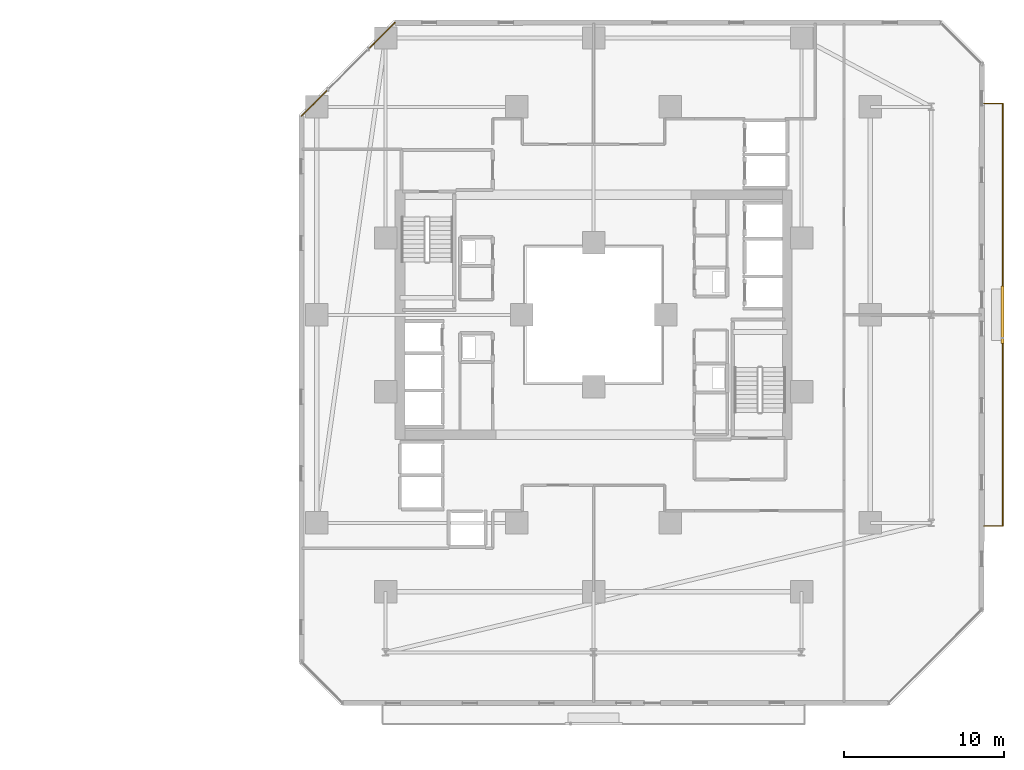
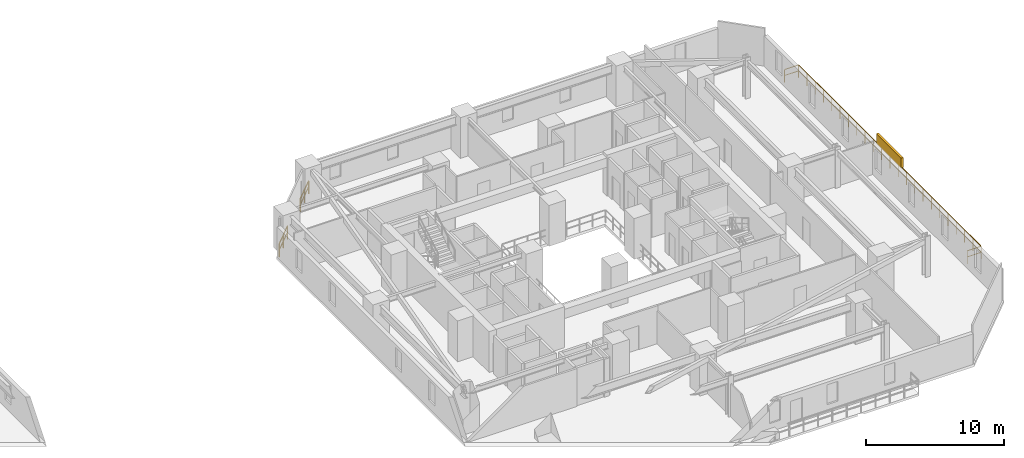
# One storey, part 33 of 33: 3 railings, 1 shading device.
"""IFC4 building model written with IfcOpenShell, lengths in metres."""

import ifcopenshell
import ifcopenshell.guid

model = None  # the IFC model being written
_history = None  # IfcOwnerHistory: only IFC2X3 demands one
_inside = {}  # id of a spatial element -> (the spatial element, [elements in it])
_under = {}  # id of a project, library or spatial element -> (it, [spatial elements below it])
_declared = {}  # id of a project -> (the project, [libraries it declares])
_typed = {}  # id of a type object -> (the type object, [elements of that type])
_made_of = {}  # id of a material, layer set ... -> (it, [elements and type objects made of it])


def new_model(schema):
    """Start an empty IFC model of exactly this schema.

    Asked for "IFC4X3", IfcOpenShell would pick the latest addendum, in which some entities
    have other attributes; the version numbers below select the first issue.
    IFC2X3 requires an IfcOwnerHistory on every rooted entity: one is made here for all.
    """
    global model, _history
    if schema == "IFC4X3":
        model = ifcopenshell.file(schema_version=(4, 3, 0, 0))
    else:
        model = ifcopenshell.file(schema=schema)
    _inside.clear()
    _under.clear()
    _declared.clear()
    _typed.clear()
    _made_of.clear()
    _history = None
    if model.schema == "IFC2X3":
        org = make("IfcOrganization", Name="unknown")
        user = make(
            "IfcPersonAndOrganization",
            ThePerson=make("IfcPerson", FamilyName="unknown"),
            TheOrganization=org,
        )
        app = make(
            "IfcApplication",
            ApplicationDeveloper=org,
            Version="unknown",
            ApplicationFullName="unknown",
            ApplicationIdentifier="unknown",
        )
        _history = make(
            "IfcOwnerHistory",
            OwningUser=user,
            OwningApplication=app,
            ChangeAction="ADDED",
            CreationDate=0,
        )
    return model


def make(cls, **values):
    """One entity of the class cls with the attributes given. An attribute that is None is left unset."""
    return model.create_entity(
        cls, **{name: value for name, value in values.items() if value is not None}
    )


def rooted(cls, **values):
    """An entity with a GlobalId (a new one), such as an element, a storey or a relation."""
    return make(cls, GlobalId=ifcopenshell.guid.new(), OwnerHistory=_history, **values)


def si_unit(unit_type, name, prefix=None):
    """IfcSIUnit, for example si_unit("LENGTHUNIT", "METRE", prefix="MILLI")."""
    return make("IfcSIUnit", UnitType=unit_type, Prefix=prefix, Name=name)


def assignment(units):
    """IfcUnitAssignment: the units of a project."""
    return None if units is None else make("IfcUnitAssignment", Units=units)


def point(xyz):
    """IfcCartesianPoint."""
    return None if xyz is None else make("IfcCartesianPoint", Coordinates=xyz)


def direction(xyz):
    """IfcDirection."""
    return None if xyz is None else make("IfcDirection", DirectionRatios=xyz)


def frame(location, z_axis=None, x_axis=None):
    """IfcAxis2Placement3D, a coordinate frame: its origin and axes. An axis left out is left unset."""
    return make(
        "IfcAxis2Placement3D",
        Location=point(location),
        Axis=direction(z_axis),
        RefDirection=direction(x_axis),
    )


def frame_2d(location, x_axis=None):
    """IfcAxis2Placement2D, a coordinate frame in the plane: its origin and x axis."""
    return make(
        "IfcAxis2Placement2D", Location=point(location), RefDirection=direction(x_axis)
    )


def origin():
    """The frame at (0, 0, 0) with its axes left unset."""
    return frame((0.0, 0.0, 0.0))


def origin_2d():
    """The frame at (0, 0) in the plane with its x axis left unset."""
    return frame_2d((0.0, 0.0))


def place(relative_to, where):
    """IfcLocalPlacement: puts the frame where relative to a parent placement (None: the world)."""
    return make(
        "IfcLocalPlacement", PlacementRelTo=relative_to, RelativePlacement=where
    )


def context(
    kind, dimensions, precision=None, world=None, true_north=None, identifier=None
):
    """IfcGeometricRepresentationContext, for example the 3D "Model" context."""
    return make(
        "IfcGeometricRepresentationContext",
        ContextIdentifier=identifier,
        ContextType=kind,
        CoordinateSpaceDimension=dimensions,
        Precision=precision,
        WorldCoordinateSystem=world,
        TrueNorth=true_north,
    )


def subcontext(parent, identifier, kind, view, scale=None):
    """IfcGeometricRepresentationSubContext, for example "Body" below "Model"."""
    return make(
        "IfcGeometricRepresentationSubContext",
        ContextIdentifier=identifier,
        ContextType=kind,
        ParentContext=parent,
        TargetScale=scale,
        TargetView=view,
    )


def project(units=None, contexts=None):
    """IfcProject with its units and contexts."""
    return rooted(
        "IfcProject",
        Name="project",
        RepresentationContexts=contexts,
        UnitsInContext=assignment(units),
    )


def spatial(cls, under=None, at=None, **own):
    """A site, building, storey or space (cls), placed at a placement, below another one or the project."""
    s = rooted(cls, ObjectPlacement=at, **own)
    if under is not None:
        _under.setdefault(under.id(), (under, []))[1].append(s)
    return s


def profile(cls, at=None, kind="AREA", **sizes):
    """A parametric profile (cls). Its sizes go by their IFC names, for example OverallWidth=200.0."""
    return make(cls, ProfileType=kind, Position=at, **sizes)


def rectangle(**sizes):
    """IfcRectangleProfileDef."""
    return profile("IfcRectangleProfileDef", **sizes)


def extrude(swept, where, along, depth):
    """IfcExtrudedAreaSolid: the profile swept, set in the frame where, extruded along a direction by depth."""
    return make(
        "IfcExtrudedAreaSolid",
        SweptArea=swept,
        Position=where,
        ExtrudedDirection=direction(along),
        Depth=depth,
    )


def shape(context_of_items, identifier, shape_type, items):
    """IfcShapeRepresentation: the items that make up one representation, for example the "Body"."""
    return make(
        "IfcShapeRepresentation",
        ContextOfItems=context_of_items,
        RepresentationIdentifier=identifier,
        RepresentationType=shape_type,
        Items=items,
    )


def material(Name=None, Category=None):
    """IfcMaterial."""
    return make("IfcMaterial", Name=Name, Category=Category)


def made_of(thing, what):
    """Note that an element or type object is made of a material, layer set ...; save() writes the relation."""
    if what is not None:
        _made_of.setdefault(what.id(), (what, []))[1].append(thing)
    return thing


def type_object(cls, material=None, **own):
    """A type object (cls), such as IfcWallType, which elements share."""
    return made_of(rooted(cls, **own), material)


def element(
    cls,
    number,
    at=None,
    inside=None,
    cuts=None,
    type_object=None,
    material=None,
    context=None,
    identifier="Body",
    shape_type=None,
    held_by="IfcProductDefinitionShape",
    body=None,
    shapes=None,
    **own,
):
    """One element of the class cls, such as IfcWall. Its Tag is "e" and its number.

    at: its placement. inside: the storey or other place that contains it. cuts: it is an
    opening in that element (IfcRelVoidsElement). A single representation is given by context,
    identifier, shape_type and body (its items); several are given by shapes. held_by: the class
    of the entity that holds the representations. save() writes the other relations.
    """
    e = rooted(cls, Tag="e%d" % number, ObjectPlacement=at, **own)
    if body is not None:
        shapes = [shape(context, identifier, shape_type, body)]
    if shapes is not None:
        e.Representation = make(held_by, Representations=shapes)
    if inside is not None:
        _inside.setdefault(inside.id(), (inside, []))[1].append(e)
    if cuts is not None:
        rooted(
            "IfcRelVoidsElement", RelatingBuildingElement=cuts, RelatedOpeningElement=e
        )
    if type_object is not None:
        _typed.setdefault(type_object.id(), (type_object, []))[1].append(e)
    return made_of(e, material)


def aggregate(whole, parts):
    """IfcRelAggregates: a whole, such as a stair, and the parts it consists of."""
    return rooted("IfcRelAggregates", RelatingObject=whole, RelatedObjects=parts)


def save(model, path):
    """Write the relations noted so far, then the file.

    IfcRelAggregates (storeys below a building ...), IfcRelContainedInSpatialStructure (elements
    in a storey), IfcRelDefinesByType, IfcRelAssociatesMaterial and IfcRelDeclares: one each for
    every whole, place, type object, material and project.
    """
    for whole, parts in _under.values():
        aggregate(whole, parts)
    for where, things in _inside.values():
        rooted(
            "IfcRelContainedInSpatialStructure",
            RelatedElements=things,
            RelatingStructure=where,
        )
    for kind, things in _typed.values():
        rooted("IfcRelDefinesByType", RelatedObjects=things, RelatingType=kind)
    for what, things in _made_of.values():
        rooted("IfcRelAssociatesMaterial", RelatedObjects=things, RelatingMaterial=what)
    for by, libraries in _declared.values():
        rooted("IfcRelDeclares", RelatingContext=by, RelatedDefinitions=libraries)
    model.write(path)


model = new_model("IFC4")

# Units and contexts
model_context = context("Model", 3, precision=1e-05, world=origin(), true_north=direction((0.0, 1.0)))
body_context = subcontext(model_context, "Body", "Model", "MODEL_VIEW")
ifc_project = project(units=[si_unit("LENGTHUNIT", "METRE"), si_unit("AREAUNIT", "SQUARE_METRE"), si_unit("VOLUMEUNIT", "CUBIC_METRE"), si_unit("PLANEANGLEUNIT", "RADIAN"), si_unit("MASSUNIT", "GRAM", prefix="KILO")], contexts=[model_context])

# Site, building, storey
site_placement = place(None, origin())
site = spatial("IfcSite", under=ifc_project, at=site_placement, CompositionType="ELEMENT")
building_placement = place(site_placement, origin())
building = spatial("IfcBuilding", under=site, at=building_placement, Name="Thornwick Lancets Civic Towers", CompositionType="ELEMENT")
storey_placement = place(building_placement, frame((0.0, 0.0, 31.5)))
storey = spatial("IfcBuildingStorey", under=building, at=storey_placement, Name="L07", CompositionType="ELEMENT", Elevation=31.5)

# Railings
ifc_material_1 = material(Name="Terracotta-capped laminated glass balustrade S355", Category="masonry")
railing_type = type_object("IfcRailingType", Name="RAIL_TERR_GUARD", PredefinedType="GUARDRAIL", material=ifc_material_1)
for number, where, name in (
    (1, (76.07861328125, 45.25439453125, 0.0), "L07 Tower B Chamfer Spandrel Guard E5-1"),
    (2, (71.89599609375, 41.07177734375, 0.0), "L07 Tower B Chamfer Spandrel Guard E5-2"),
):
    element("IfcRailing", number, at=place(storey_placement, frame(where)), inside=storey, type_object=railing_type, Name=name, PredefinedType="GUARDRAIL", context=body_context, shape_type="SweptSolid", body=[
        extrude(rectangle(XDim=0.048095703125, YDim=0.048095703125, at=origin_2d()), frame((0.0, 0.0, 1.1259765625), z_axis=(-0.707106781187, -0.707106781187, 0.0), x_axis=(0.707106781187, -0.707106781187, 0.0)), (0.0, 0.0, 1.0), 2.333984375),
        extrude(rectangle(XDim=0.0419921875, YDim=0.0419921875, at=origin_2d()), frame((-0.026611328125, -0.026611328125, 0.597900390625), z_axis=(-0.707106781187, -0.707106781187, 0.0), x_axis=(0.707106781187, -0.707106781187, 0.0)), (0.0, 0.0, 1.0), 1.092041015625),
        extrude(rectangle(XDim=0.0419921875, YDim=0.0419921875, at=origin_2d()), frame((-0.851806640625, -0.851806640625, 0.597900390625), z_axis=(-0.707106781187, -0.707106781187, 0.0), x_axis=(0.707106781187, -0.707106781187, 0.0)), (0.0, 0.0, 1.0), 1.092041015625),
        extrude(rectangle(XDim=0.0419921875, YDim=0.0419921875, at=origin_2d()), origin(), (0.0, 0.0, 1.0), 1.095703125),
        extrude(rectangle(XDim=0.0419921875, YDim=0.0419921875, at=origin_2d()), frame((-0.8251953125, -0.8251953125, 0.0)), (0.0, 0.0, 1.0), 1.095703125),
        extrude(rectangle(XDim=0.0419921875, YDim=0.0419921875, at=origin_2d()), frame((-1.650390625, -1.650390625, 0.0)), (0.0, 0.0, 1.0), 1.095703125),
    ])
railing_placement = place(storey_placement, frame((112.89990234375, 13.800048828125, 0.0)))
element("IfcRailing", 3, at=railing_placement, inside=storey, type_object=railing_type, Name="L07 Tower B Balcony Guard E", PredefinedType="GUARDRAIL", context=body_context, shape_type="SweptSolid", body=[
    extrude(rectangle(XDim=0.048095703125, YDim=0.048095703125, at=origin_2d()), frame((0.0, 0.0, 1.1259765625), z_axis=(1.0, 0.0, 0.0), x_axis=(0.0, 1.0, 0.0)), (0.0, 0.0, 1.0), 1.138916015625),
    extrude(rectangle(XDim=0.0419921875, YDim=0.0419921875, at=origin_2d()), frame((0.03759765625, 0.0, 0.597900390625), z_axis=(1.0, 0.0, 0.0), x_axis=(0.0, 1.0, 0.0)), (0.0, 0.0, 1.0), 1.09521484375),
    extrude(rectangle(XDim=0.048095703125, YDim=0.048095703125, at=origin_2d()), frame((1.170166015625, 0.03125, 1.1259765625), z_axis=(0.0, 1.0, 0.0), x_axis=(-1.0, 0.0, 0.0)), (0.0, 0.0, 1.0), 26.33740234375),
    extrude(rectangle(XDim=0.0419921875, YDim=0.0419921875, at=origin_2d()), frame((1.170166015625, 0.03759765625, 0.597900390625), z_axis=(0.0, 1.0, 0.0), x_axis=(-1.0, 0.0, 0.0)), (0.0, 0.0, 1.0), 1.125),
    extrude(rectangle(XDim=0.0419921875, YDim=0.0419921875, at=origin_2d()), frame((1.170166015625, 1.237548828125, 0.597900390625), z_axis=(0.0, 1.0, 0.0), x_axis=(-1.0, 0.0, 0.0)), (0.0, 0.0, 1.0), 1.125),
    extrude(rectangle(XDim=0.0419921875, YDim=0.0419921875, at=origin_2d()), frame((1.170166015625, 2.4375, 0.597900390625), z_axis=(0.0, 1.0, 0.0), x_axis=(-1.0, 0.0, 0.0)), (0.0, 0.0, 1.0), 1.125),
    extrude(rectangle(XDim=0.0419921875, YDim=0.0419921875, at=origin_2d()), frame((1.170166015625, 3.637451171875, 0.597900390625), z_axis=(0.0, 1.0, 0.0), x_axis=(-1.0, 0.0, 0.0)), (0.0, 0.0, 1.0), 1.125),
    extrude(rectangle(XDim=0.0419921875, YDim=0.0419921875, at=origin_2d()), frame((1.170166015625, 4.83740234375, 0.597900390625), z_axis=(0.0, 1.0, 0.0), x_axis=(-1.0, 0.0, 0.0)), (0.0, 0.0, 1.0), 1.125),
    extrude(rectangle(XDim=0.0419921875, YDim=0.0419921875, at=origin_2d()), frame((1.170166015625, 6.037353515625, 0.597900390625), z_axis=(0.0, 1.0, 0.0), x_axis=(-1.0, 0.0, 0.0)), (0.0, 0.0, 1.0), 1.125),
    extrude(rectangle(XDim=0.0419921875, YDim=0.0419921875, at=origin_2d()), frame((1.170166015625, 7.237548828125, 0.597900390625), z_axis=(0.0, 1.0, 0.0), x_axis=(-1.0, 0.0, 0.0)), (0.0, 0.0, 1.0), 1.125),
    extrude(rectangle(XDim=0.0419921875, YDim=0.0419921875, at=origin_2d()), frame((1.170166015625, 8.4375, 0.597900390625), z_axis=(0.0, 1.0, 0.0), x_axis=(-1.0, 0.0, 0.0)), (0.0, 0.0, 1.0), 1.125),
    extrude(rectangle(XDim=0.0419921875, YDim=0.0419921875, at=origin_2d()), frame((1.170166015625, 9.637451171875, 0.597900390625), z_axis=(0.0, 1.0, 0.0), x_axis=(-1.0, 0.0, 0.0)), (0.0, 0.0, 1.0), 1.125),
    extrude(rectangle(XDim=0.0419921875, YDim=0.0419921875, at=origin_2d()), frame((1.170166015625, 10.83740234375, 0.597900390625), z_axis=(0.0, 1.0, 0.0), x_axis=(-1.0, 0.0, 0.0)), (0.0, 0.0, 1.0), 1.125),
    extrude(rectangle(XDim=0.0419921875, YDim=0.0419921875, at=origin_2d()), frame((1.170166015625, 12.037353515625, 0.597900390625), z_axis=(0.0, 1.0, 0.0), x_axis=(-1.0, 0.0, 0.0)), (0.0, 0.0, 1.0), 1.125),
    extrude(rectangle(XDim=0.0419921875, YDim=0.0419921875, at=origin_2d()), frame((1.170166015625, 13.237548828125, 0.597900390625), z_axis=(0.0, 1.0, 0.0), x_axis=(-1.0, 0.0, 0.0)), (0.0, 0.0, 1.0), 1.125),
    extrude(rectangle(XDim=0.0419921875, YDim=0.0419921875, at=origin_2d()), frame((1.170166015625, 14.4375, 0.597900390625), z_axis=(0.0, 1.0, 0.0), x_axis=(-1.0, 0.0, 0.0)), (0.0, 0.0, 1.0), 1.125),
    extrude(rectangle(XDim=0.0419921875, YDim=0.0419921875, at=origin_2d()), frame((1.170166015625, 15.637451171875, 0.597900390625), z_axis=(0.0, 1.0, 0.0), x_axis=(-1.0, 0.0, 0.0)), (0.0, 0.0, 1.0), 1.125),
    extrude(rectangle(XDim=0.0419921875, YDim=0.0419921875, at=origin_2d()), frame((1.170166015625, 16.83740234375, 0.597900390625), z_axis=(0.0, 1.0, 0.0), x_axis=(-1.0, 0.0, 0.0)), (0.0, 0.0, 1.0), 1.125),
    extrude(rectangle(XDim=0.0419921875, YDim=0.0419921875, at=origin_2d()), frame((1.170166015625, 18.037353515625, 0.597900390625), z_axis=(0.0, 1.0, 0.0), x_axis=(-1.0, 0.0, 0.0)), (0.0, 0.0, 1.0), 1.125),
    extrude(rectangle(XDim=0.0419921875, YDim=0.0419921875, at=origin_2d()), frame((1.170166015625, 19.2373046875, 0.597900390625), z_axis=(0.0, 1.0, 0.0), x_axis=(-1.0, 0.0, 0.0)), (0.0, 0.0, 1.0), 1.125),
    extrude(rectangle(XDim=0.0419921875, YDim=0.0419921875, at=origin_2d()), frame((1.170166015625, 20.4375, 0.597900390625), z_axis=(0.0, 1.0, 0.0), x_axis=(-1.0, 0.0, 0.0)), (0.0, 0.0, 1.0), 1.125),
    extrude(rectangle(XDim=0.0419921875, YDim=0.0419921875, at=origin_2d()), frame((1.170166015625, 21.637451171875, 0.597900390625), z_axis=(0.0, 1.0, 0.0), x_axis=(-1.0, 0.0, 0.0)), (0.0, 0.0, 1.0), 1.125),
    extrude(rectangle(XDim=0.0419921875, YDim=0.0419921875, at=origin_2d()), frame((1.170166015625, 22.83740234375, 0.597900390625), z_axis=(0.0, 1.0, 0.0), x_axis=(-1.0, 0.0, 0.0)), (0.0, 0.0, 1.0), 1.125),
    extrude(rectangle(XDim=0.0419921875, YDim=0.0419921875, at=origin_2d()), frame((1.170166015625, 24.037353515625, 0.597900390625), z_axis=(0.0, 1.0, 0.0), x_axis=(-1.0, 0.0, 0.0)), (0.0, 0.0, 1.0), 1.125),
    extrude(rectangle(XDim=0.0419921875, YDim=0.0419921875, at=origin_2d()), frame((1.170166015625, 25.2373046875, 0.597900390625), z_axis=(0.0, 1.0, 0.0), x_axis=(-1.0, 0.0, 0.0)), (0.0, 0.0, 1.0), 1.125),
    extrude(rectangle(XDim=0.048095703125, YDim=0.048095703125, at=origin_2d()), frame((1.138916015625, 26.39990234375, 1.1259765625), z_axis=(-1.0, 0.0, 0.0), x_axis=(0.0, -1.0, 0.0)), (0.0, 0.0, 1.0), 1.138916015625),
    extrude(rectangle(XDim=0.0419921875, YDim=0.0419921875, at=origin_2d()), frame((1.132568359375, 26.39990234375, 0.597900390625), z_axis=(-1.0, 0.0, 0.0), x_axis=(0.0, -1.0, 0.0)), (0.0, 0.0, 1.0), 1.09521484375),
    extrude(rectangle(XDim=0.0419921875, YDim=0.0419921875, at=origin_2d()), origin(), (0.0, 0.0, 1.0), 1.095703125),
    extrude(rectangle(XDim=0.0419921875, YDim=0.0419921875, at=origin_2d()), frame((1.170166015625, 0.0, 0.0)), (0.0, 0.0, 1.0), 1.095703125),
    extrude(rectangle(XDim=0.0419921875, YDim=0.0419921875, at=origin_2d()), frame((1.170166015625, 1.199951171875, 0.0)), (0.0, 0.0, 1.0), 1.095703125),
    extrude(rectangle(XDim=0.0419921875, YDim=0.0419921875, at=origin_2d()), frame((1.170166015625, 2.39990234375, 0.0)), (0.0, 0.0, 1.0), 1.095703125),
    extrude(rectangle(XDim=0.0419921875, YDim=0.0419921875, at=origin_2d()), frame((1.170166015625, 3.60009765625, 0.0)), (0.0, 0.0, 1.0), 1.095703125),
    extrude(rectangle(XDim=0.0419921875, YDim=0.0419921875, at=origin_2d()), frame((1.170166015625, 4.800048828125, 0.0)), (0.0, 0.0, 1.0), 1.095703125),
    extrude(rectangle(XDim=0.0419921875, YDim=0.0419921875, at=origin_2d()), frame((1.170166015625, 6.0, 0.0)), (0.0, 0.0, 1.0), 1.095703125),
    extrude(rectangle(XDim=0.0419921875, YDim=0.0419921875, at=origin_2d()), frame((1.170166015625, 7.199951171875, 0.0)), (0.0, 0.0, 1.0), 1.095703125),
    extrude(rectangle(XDim=0.0419921875, YDim=0.0419921875, at=origin_2d()), frame((1.170166015625, 8.39990234375, 0.0)), (0.0, 0.0, 1.0), 1.095703125),
    extrude(rectangle(XDim=0.0419921875, YDim=0.0419921875, at=origin_2d()), frame((1.170166015625, 9.599853515625, 0.0)), (0.0, 0.0, 1.0), 1.095703125),
    extrude(rectangle(XDim=0.0419921875, YDim=0.0419921875, at=origin_2d()), frame((1.170166015625, 10.800048828125, 0.0)), (0.0, 0.0, 1.0), 1.095703125),
    extrude(rectangle(XDim=0.0419921875, YDim=0.0419921875, at=origin_2d()), frame((1.170166015625, 12.0, 0.0)), (0.0, 0.0, 1.0), 1.095703125),
    extrude(rectangle(XDim=0.0419921875, YDim=0.0419921875, at=origin_2d()), frame((1.170166015625, 13.199951171875, 0.0)), (0.0, 0.0, 1.0), 1.095703125),
    extrude(rectangle(XDim=0.0419921875, YDim=0.0419921875, at=origin_2d()), frame((1.170166015625, 14.39990234375, 0.0)), (0.0, 0.0, 1.0), 1.095703125),
    extrude(rectangle(XDim=0.0419921875, YDim=0.0419921875, at=origin_2d()), frame((1.170166015625, 15.599853515625, 0.0)), (0.0, 0.0, 1.0), 1.095703125),
    extrude(rectangle(XDim=0.0419921875, YDim=0.0419921875, at=origin_2d()), frame((1.170166015625, 16.800048828125, 0.0)), (0.0, 0.0, 1.0), 1.095703125),
    extrude(rectangle(XDim=0.0419921875, YDim=0.0419921875, at=origin_2d()), frame((1.170166015625, 18.0, 0.0)), (0.0, 0.0, 1.0), 1.095703125),
    extrude(rectangle(XDim=0.0419921875, YDim=0.0419921875, at=origin_2d()), frame((1.170166015625, 19.199951171875, 0.0)), (0.0, 0.0, 1.0), 1.095703125),
    extrude(rectangle(XDim=0.0419921875, YDim=0.0419921875, at=origin_2d()), frame((1.170166015625, 20.39990234375, 0.0)), (0.0, 0.0, 1.0), 1.095703125),
    extrude(rectangle(XDim=0.0419921875, YDim=0.0419921875, at=origin_2d()), frame((1.170166015625, 21.599853515625, 0.0)), (0.0, 0.0, 1.0), 1.095703125),
    extrude(rectangle(XDim=0.0419921875, YDim=0.0419921875, at=origin_2d()), frame((1.170166015625, 22.7998046875, 0.0)), (0.0, 0.0, 1.0), 1.095703125),
    extrude(rectangle(XDim=0.0419921875, YDim=0.0419921875, at=origin_2d()), frame((1.170166015625, 24.0, 0.0)), (0.0, 0.0, 1.0), 1.095703125),
    extrude(rectangle(XDim=0.0419921875, YDim=0.0419921875, at=origin_2d()), frame((1.170166015625, 25.199951171875, 0.0)), (0.0, 0.0, 1.0), 1.095703125),
    extrude(rectangle(XDim=0.0419921875, YDim=0.0419921875, at=origin_2d()), frame((1.170166015625, 26.39990234375, 0.0)), (0.0, 0.0, 1.0), 1.095703125),
    extrude(rectangle(XDim=0.0419921875, YDim=0.0419921875, at=origin_2d()), frame((0.0, 26.39990234375, 0.0)), (0.0, 0.0, 1.0), 1.095703125),
])

# Shading device
ifc_material_2 = material(Name="Extruded terracotta baguette solar screen", Category="masonry")
shading_device_type = type_object("IfcShadingDeviceType", Name="SHADE_BAGUETTE", PredefinedType="JALOUSIE", material=ifc_material_2)
shading_device_placement = place(storey_placement, frame((114.06005859375, 27.0, 1.1201171875), z_axis=(0.0, 0.0, 1.0), x_axis=(0.0, 1.0, 0.0)))
element("IfcShadingDevice", 4, at=shading_device_placement, inside=storey, type_object=shading_device_type, Name="L07 Tower B Terracotta Baguette Screen E", PredefinedType="JALOUSIE", context=body_context, shape_type="SweptSolid", body=[
    extrude(rectangle(XDim=3.60009765625, YDim=0.179931640625, at=origin_2d()), origin(), (0.0, 0.0, 1.0), 0.89990234375),
])

save(model, "model.ifc")
